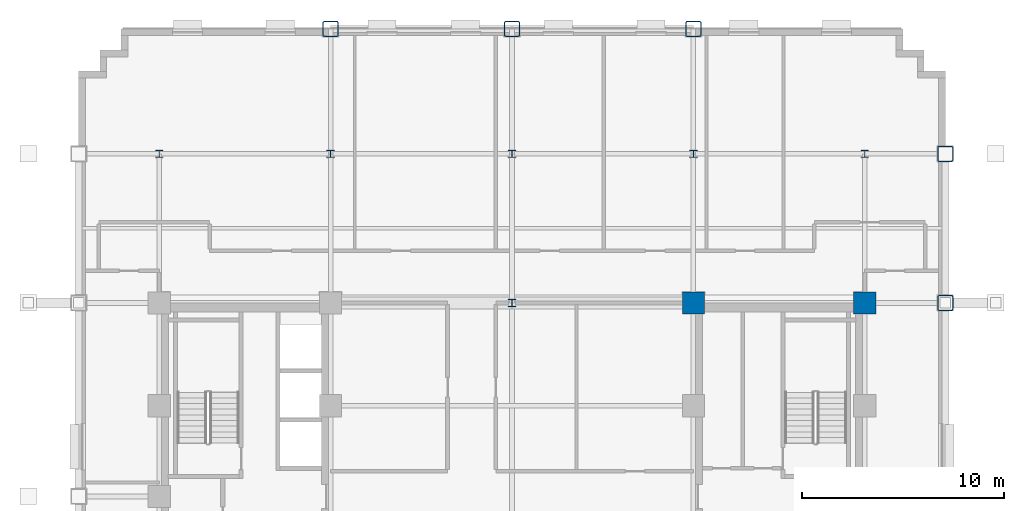
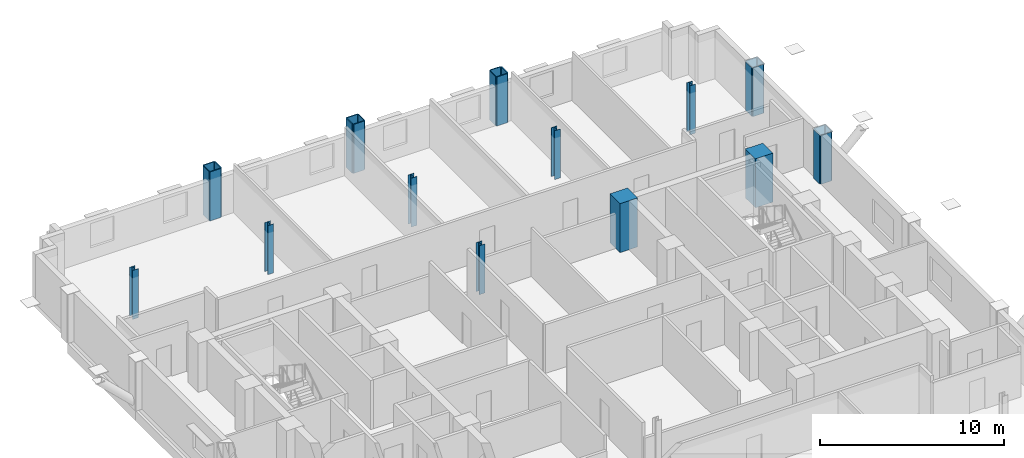
# One storey, part 3 of 13: 13 columns.
"""IFC4 building model written with IfcOpenShell, lengths in metres."""

from ifc_helpers import new_model, si_unit, direction, frame, origin, origin_2d, place, context, subcontext, project, spatial, rectangle, hollow_rectangle, i_section, extrude, material, material_profile, profile_set, type_object, element, save


model = new_model("IFC4")

# Units and contexts
model_context = context("Model", 3, precision=1e-05, world=origin(), true_north=direction((0.0, 1.0)))
body_context = subcontext(model_context, "Body", "Model", "MODEL_VIEW")
ifc_project = project(units=[si_unit("LENGTHUNIT", "METRE"), si_unit("AREAUNIT", "SQUARE_METRE"), si_unit("VOLUMEUNIT", "CUBIC_METRE"), si_unit("PLANEANGLEUNIT", "RADIAN"), si_unit("MASSUNIT", "GRAM", prefix="KILO")], contexts=[model_context])

# Site, building, storey
site_placement = place(None, origin())
site = spatial("IfcSite", under=ifc_project, at=site_placement, CompositionType="ELEMENT")
building_placement = place(site_placement, origin())
building = spatial("IfcBuilding", under=site, at=building_placement, Name="Nuvemarco Arch Tower", CompositionType="ELEMENT")
storey_placement = place(building_placement, frame((0.0, 0.0, 82.35009765625)))
storey = spatial("IfcBuildingStorey", under=building, at=storey_placement, Name="L21", CompositionType="ELEMENT", Elevation=82.35009765625)

# Columns
ifc_material_1 = material(Name="Concrete C60/75", Category="concrete")
ifc_material_profile_1 = material_profile(ifc_material_1, rectangle(XDim=1.10009765625, YDim=1.10009765625, at=origin_2d()), Name="RC-COL-1100x1100")
ifc_profile_set_1 = profile_set([ifc_material_profile_1], Name="Concrete C60/75")
column_type_1 = type_object("IfcColumnType", Name="COL-CORE-1100", PredefinedType="COLUMN", material=ifc_profile_set_1)
for number, where, z_axis, x_axis, name in (
    (1, (9.0, 9.60009765625, 0.0), (0.0, 0.0, 1.0), (1.0, 0.0, 0.0), "L21 column CC_+9.0_+9.6"),
    (2, (17.5, 9.60009765625, 0.0), (0.0, 0.0, 1.0), (1.0, 0.0, 0.0), "L21 column CC_+17.5_+9.6"),
):
    element("IfcColumn", number, at=place(storey_placement, frame(where, z_axis=z_axis, x_axis=x_axis)), inside=storey, type_object=column_type_1, Name=name, PredefinedType="COLUMN", context=body_context, shape_type="SweptSolid", body=[
        extrude(rectangle(XDim=1.10009765625, YDim=1.10009765625, at=origin_2d()), origin(), (0.0, 0.0, 1.0), 3.25),
    ])
ifc_material_2 = material(Name="Steel S460", Category="steel")
ifc_material_profile_2 = material_profile(ifc_material_2, hollow_rectangle(XDim=0.800048828125, YDim=0.800048828125, WallThickness=0.054931640625, InnerFilletRadius=0.054931640625, OuterFilletRadius=0.110107421875, at=origin_2d()), Name="SHS800x800x55")
ifc_profile_set_2 = profile_set([ifc_material_profile_2], Name="Steel S460")
column_type_2 = type_object("IfcColumnType", Name="COL-EXO-800", PredefinedType="COLUMN", material=ifc_profile_set_2)
for number, where, z_axis, x_axis, name in (
    (3, (21.5, 9.60009765625, 0.0), (0.0, 0.0, 1.0), (1.0, 0.0, 0.0), "L21 column CX_+21.5_+9.6"),
    (4, (21.5, 17.0, 0.0), (0.0, 0.0, 1.0), (1.0, 0.0, 0.0), "L21 column CX_+21.5_+17.0"),
    (5, (-9.0, 23.199951171875, 0.0), (0.0, 0.0, 1.0), (1.0, 0.0, 0.0), "L21 column CY_-9.0_+23.2"),
    (6, (0.0, 23.199951171875, 0.0), (0.0, 0.0, 1.0), (1.0, 0.0, 0.0), "L21 column CY_+0.0_+23.2"),
    (7, (9.0, 23.199951171875, 0.0), (0.0, 0.0, 1.0), (1.0, 0.0, 0.0), "L21 column CY_+9.0_+23.2"),
):
    element("IfcColumn", number, at=place(storey_placement, frame(where, z_axis=z_axis, x_axis=x_axis)), inside=storey, type_object=column_type_2, Name=name, PredefinedType="COLUMN", context=body_context, shape_type="SweptSolid", body=[
        extrude(hollow_rectangle(XDim=0.800048828125, YDim=0.800048828125, WallThickness=0.054931640625, InnerFilletRadius=0.054931640625, OuterFilletRadius=0.110107421875, at=origin_2d()), origin(), (0.0, 0.0, 1.0), 3.25),
    ])
ifc_material_3 = material(Name="Steel S355", Category="steel")
ifc_material_profile_3 = material_profile(ifc_material_3, i_section(OverallWidth=0.360107421875, OverallDepth=0.360107421875, WebThickness=0.0205078125, FlangeThickness=0.0205078125, FilletRadius=0.01806640625, at=origin_2d()), Name="HP360x174")
ifc_profile_set_3 = profile_set([ifc_material_profile_3], Name="Steel S355")
column_type_3 = type_object("IfcColumnType", Name="COL-STL-HP360", PredefinedType="COLUMN", material=ifc_profile_set_3)
for number, where, z_axis, x_axis, name in (
    (8, (0.0, 9.60009765625, 0.0), (0.0, 0.0, 1.0), (1.0, 0.0, 0.0), "L21 column CI_+0.0_+9.6"),
    (9, (0.0, 17.0, 0.0), (0.0, 0.0, 1.0), (1.0, 0.0, 0.0), "L21 column CI_+0.0_+17.0"),
    (10, (-17.5, 17.0, 0.0), (0.0, 0.0, 1.0), (1.0, 0.0, 0.0), "L21 column CI_-17.5_+17.0"),
    (11, (-9.0, 17.0, 0.0), (0.0, 0.0, 1.0), (1.0, 0.0, 0.0), "L21 column CI_-9.0_+17.0"),
    (12, (9.0, 17.0, 0.0), (0.0, 0.0, 1.0), (1.0, 0.0, 0.0), "L21 column CI_+9.0_+17.0"),
    (13, (17.5, 17.0, 0.0), (0.0, 0.0, 1.0), (1.0, 0.0, 0.0), "L21 column CI_+17.5_+17.0"),
):
    element("IfcColumn", number, at=place(storey_placement, frame(where, z_axis=z_axis, x_axis=x_axis)), inside=storey, type_object=column_type_3, Name=name, PredefinedType="COLUMN", context=body_context, shape_type="SweptSolid", body=[
        extrude(i_section(OverallWidth=0.360107421875, OverallDepth=0.360107421875, WebThickness=0.0205078125, FlangeThickness=0.0205078125, FilletRadius=0.01806640625, at=origin_2d()), origin(), (0.0, 0.0, 1.0), 3.25),
    ])

save(model, "model.ifc")
